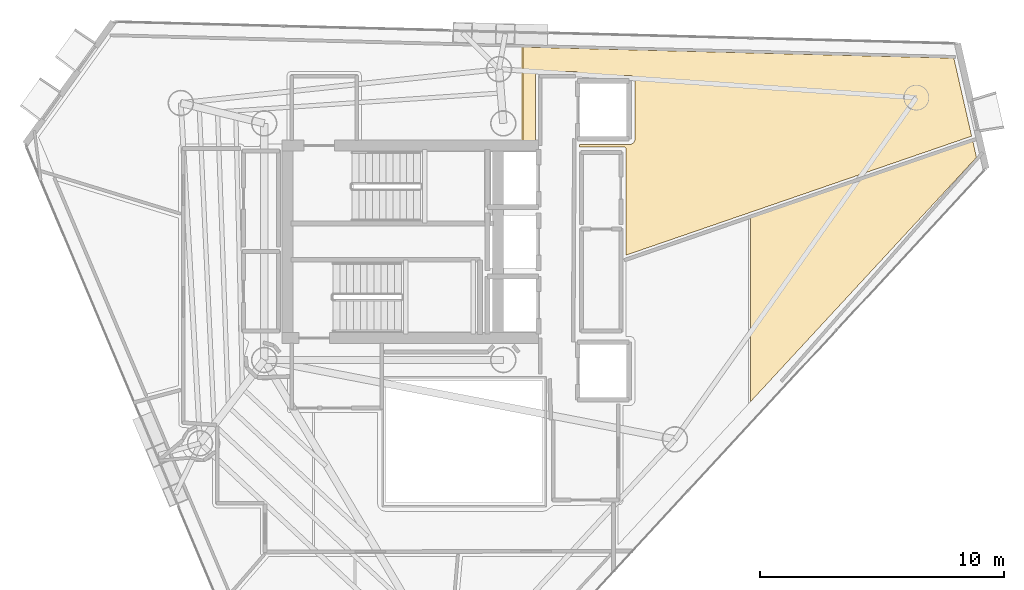
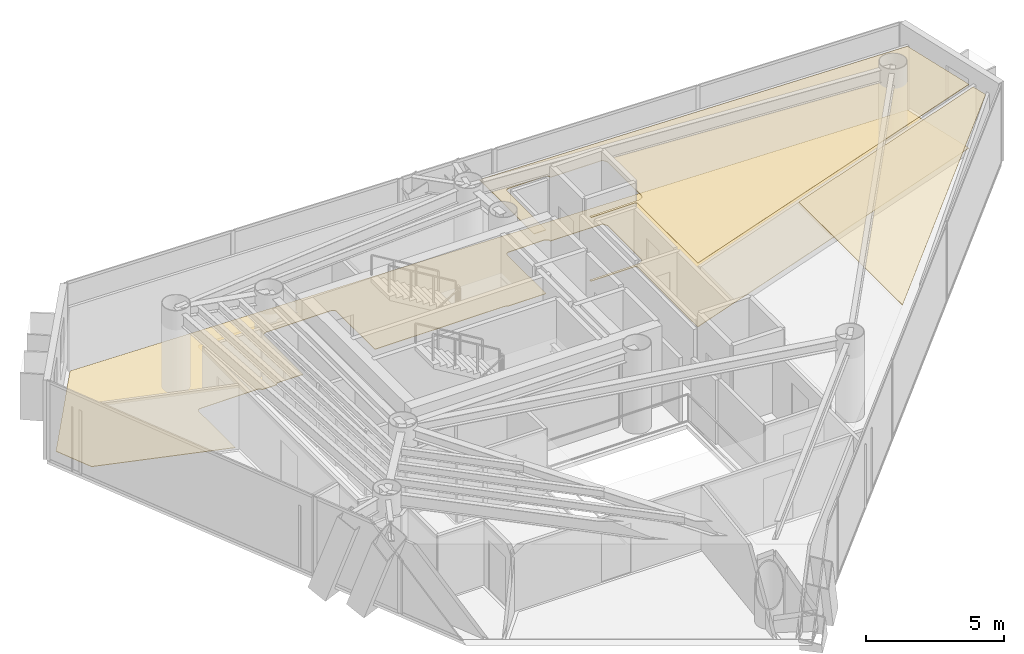
# One storey, part 21 of 21: 3 coverings.
"""IFC4 building model written with IfcOpenShell, lengths in metres."""

from ifc_helpers import new_model, si_unit, direction, frame, origin, place, context, subcontext, project, spatial, polyline, outline, extrude, material, layer, layer_set, type_object, element, save


model = new_model("IFC4")

# Units and contexts
model_context = context("Model", 3, precision=1e-05, world=origin(), true_north=direction((0.0, 1.0)))
body_context = subcontext(model_context, "Body", "Model", "MODEL_VIEW")
ifc_project = project(units=[si_unit("LENGTHUNIT", "METRE"), si_unit("AREAUNIT", "SQUARE_METRE"), si_unit("VOLUMEUNIT", "CUBIC_METRE"), si_unit("PLANEANGLEUNIT", "RADIAN"), si_unit("MASSUNIT", "GRAM", prefix="KILO")], contexts=[model_context])

# Site, building, storey
site_placement = place(None, origin())
site = spatial("IfcSite", under=ifc_project, at=site_placement, CompositionType="ELEMENT")
building_placement = place(site_placement, origin())
building = spatial("IfcBuilding", under=site, at=building_placement, Name="Qianvela Tower", CompositionType="ELEMENT")
storey_placement = place(building_placement, frame((0.0, 0.0, 246.39990234375)))
storey = spatial("IfcBuildingStorey", under=building, at=storey_placement, Name="L63", CompositionType="ELEMENT", Elevation=246.39990234375)

# Coverings
ifc_material_1 = material(Name="Perforated Mineral Acoustic Ceiling Tile")
ifc_layer_1 = layer(ifc_material_1, 0.02490234375)
ifc_layer_set_1 = layer_set([ifc_layer_1], Name="Perforated Mineral Acoustic Ceiling Tile")
covering_type_1 = type_object("IfcCoveringType", Name="COV-CEIL-ACOUSTIC-25", PredefinedType="CEILING", material=ifc_layer_set_1)
covering_1_placement = place(storey_placement, frame((0.0, 0.0, 2.815185546875)))
element("IfcCovering", 1, at=covering_1_placement, inside=storey, type_object=covering_type_1, Name="L63 Acoustic Ceiling Bay 2 Peer Support Study Room L63-04", PredefinedType="CEILING", context=body_context, shape_type="SweptSolid", body=[
    extrude(outline(polyline([(57.64794921875, 32.808349609375), (57.796630859375, 32.15625), (48.533935546875, 22.141845703125), (48.533935546875, 29.67041015625), (57.64794921875, 32.808349609375)])), origin(), (0.0, 0.0, 1.0), 0.02490234375),
])
covering_2_placement = place(storey_placement, frame((0.0, 0.0, 2.815185546875)))
element("IfcCovering", 2, at=covering_2_placement, inside=storey, type_object=covering_type_1, Name="L63 Acoustic Ceiling Bay 2 Academic Advising Lounge L63-05", PredefinedType="CEILING", context=body_context, shape_type="SweptSolid", body=[
    extrude(outline(polyline([(56.867919921875, 36.2255859375), (57.598388671875, 33.025634765625), (43.429931640625, 28.147705078125), (43.429931640625, 32.5), (43.4296875, 32.5078125), (43.428466796875, 32.515625), (43.426513671875, 32.523193359375), (43.423828125, 32.530517578125), (43.420654296875, 32.53759765625), (43.41650390625, 32.54443359375), (43.411865234375, 32.55078125), (43.406494140625, 32.556640625), (43.40087890625, 32.561767578125), (43.394287109375, 32.56640625), (43.3876953125, 32.570556640625), (43.380615234375, 32.573974609375), (43.373291015625, 32.57666015625), (43.365478515625, 32.57861328125), (43.35791015625, 32.57958984375), (43.35009765625, 32.580078125), (41.52001953125, 32.580078125), (41.52001953125, 32.679931640625), (43.580078125, 32.679931640625), (43.587158203125, 32.680419921875), (43.593994140625, 32.68115234375), (43.60107421875, 32.682861328125), (43.607666015625, 32.684814453125), (43.6142578125, 32.687744140625), (43.722412109375, 32.739013671875), (43.729248046875, 32.74267578125), (43.73583984375, 32.746826171875), (43.741943359375, 32.751953125), (43.74755859375, 32.757568359375), (43.75244140625, 32.763427734375), (43.7568359375, 32.77001953125), (43.760498046875, 32.777099609375), (43.763427734375, 32.7841796875), (43.79541015625, 32.873046875), (43.7978515625, 32.8818359375), (43.799560546875, 32.890869140625), (43.800048828125, 32.89990234375), (43.800048828125, 35.300048828125), (43.7998046875, 35.30712890625), (43.798583984375, 35.314208984375), (43.797119140625, 35.3212890625), (43.794921875, 35.328125), (43.7919921875, 35.334716796875), (43.78857421875, 35.341064453125), (43.714599609375, 35.464599609375), (43.710205078125, 35.471435546875), (43.704833984375, 35.477783203125), (43.698974609375, 35.4833984375), (43.692626953125, 35.488525390625), (43.685791015625, 35.492919921875), (43.678466796875, 35.49658203125), (43.670654296875, 35.49951171875), (43.662841796875, 35.501708984375), (43.65478515625, 35.5029296875), (43.646484375, 35.50341796875), (41.513916015625, 35.519287109375), (41.51025390625, 35.564208984375), (41.50927734375, 35.57177734375), (41.5078125, 35.5791015625), (41.50537109375, 35.586181640625), (41.502197265625, 35.59326171875), (41.49853515625, 35.599853515625), (41.494140625, 35.606201171875), (41.4892578125, 35.612060546875), (41.48388671875, 35.6171875), (41.47802734375, 35.6220703125), (41.4716796875, 35.626220703125), (41.401123046875, 35.668701171875), (41.394775390625, 35.672119140625), (41.387939453125, 35.675048828125), (41.381103515625, 35.67724609375), (41.373779296875, 35.6787109375), (41.36669921875, 35.6796875), (41.359375, 35.679931640625), (39.834716796875, 35.66650390625), (39.8271484375, 35.666015625), (39.8193359375, 35.664794921875), (39.811767578125, 35.662841796875), (39.804443359375, 35.660400390625), (39.797607421875, 35.656982421875), (39.790771484375, 35.65283203125), (39.78466796875, 35.648193359375), (39.77880859375, 35.642822265625), (39.773681640625, 35.63720703125), (39.76904296875, 35.630859375), (39.764892578125, 35.624267578125), (39.7294921875, 35.5576171875), (39.72607421875, 35.550537109375), (39.723388671875, 35.543212890625), (39.721435546875, 35.53564453125), (39.720458984375, 35.52783203125), (39.719970703125, 35.52001953125), (39.719970703125, 32.719970703125), (39.216796875, 32.719970703125), (39.216796875, 36.679443359375), (56.867919921875, 36.2255859375)])), origin(), (0.0, 0.0, 1.0), 0.02490234375),
])
ifc_material_2 = material(Name="Engineered Acoustic Oak Timber Flooring", Category="wood")
ifc_layer_2 = layer(ifc_material_2, 0.02001953125)
ifc_layer_set_2 = layer_set([ifc_layer_2], Name="Engineered Acoustic Oak Timber Flooring")
covering_type_2 = type_object("IfcCoveringType", Name="COV-FLOOR-OAK-20", PredefinedType="FLOORING", material=ifc_layer_set_2)
covering_3_placement = place(storey_placement, origin())
element("IfcCovering", 3, at=covering_3_placement, inside=storey, type_object=covering_type_2, Name="L63 Finish Flooring Academic Advising Lounge L63-05", PredefinedType="FLOORING", context=body_context, shape_type="SweptSolid", body=[
    extrude(outline(polyline([(29.5400390625, 32.700439453125), (28.54296875, 32.709716796875), (28.53662109375, 32.70947265625), (28.530029296875, 32.708740234375), (28.4677734375, 32.69921875), (28.460205078125, 32.697509765625), (28.452880859375, 32.6953125), (28.446044921875, 32.6923828125), (28.439208984375, 32.688720703125), (28.432861328125, 32.6845703125), (28.427001953125, 32.6796875), (28.42138671875, 32.674560546875), (28.41650390625, 32.668701171875), (28.412109375, 32.662353515625), (28.408447265625, 32.65576171875), (28.405517578125, 32.648681640625), (28.403076171875, 32.6416015625), (28.4013671875, 32.634033203125), (28.400390625, 32.62646484375), (28.39892578125, 32.609619140625), (27.7626953125, 32.607666015625), (27.759521484375, 32.6201171875), (27.757080078125, 32.62744140625), (27.754150390625, 32.634765625), (27.75048828125, 32.6416015625), (27.74609375, 32.648193359375), (27.7412109375, 32.654296875), (27.735595703125, 32.659912109375), (27.7294921875, 32.6650390625), (27.722900390625, 32.66943359375), (27.716064453125, 32.673095703125), (27.654296875, 32.702392578125), (27.647705078125, 32.705078125), (27.640869140625, 32.707275390625), (27.6337890625, 32.708740234375), (27.626708984375, 32.709716796875), (27.61962890625, 32.7099609375), (25.205078125, 32.696533203125), (25.197265625, 32.696044921875), (25.189697265625, 32.69482421875), (25.181884765625, 32.693115234375), (25.1748046875, 32.690185546875), (25.16748046875, 32.68701171875), (25.160888671875, 32.682861328125), (25.15478515625, 32.67822265625), (25.14892578125, 32.673095703125), (25.143798828125, 32.667236328125), (25.138916015625, 32.660888671875), (25.135009765625, 32.654296875), (25.099365234375, 32.587646484375), (25.09619140625, 32.58056640625), (25.093505859375, 32.5732421875), (25.091552734375, 32.565673828125), (25.09033203125, 32.557861328125), (25.090087890625, 32.550048828125), (25.090087890625, 29.921630859375), (19.977294921875, 31.48486328125), (19.347412109375, 32.9775390625), (22.3232421875, 37.11376953125), (56.867919921875, 36.2255859375), (57.598388671875, 33.025634765625), (43.429931640625, 28.147705078125), (43.429931640625, 32.5), (43.4296875, 32.5078125), (43.428466796875, 32.515625), (43.426513671875, 32.523193359375), (43.423828125, 32.530517578125), (43.420654296875, 32.53759765625), (43.41650390625, 32.54443359375), (43.411865234375, 32.55078125), (43.406494140625, 32.556640625), (43.40087890625, 32.561767578125), (43.394287109375, 32.56640625), (43.3876953125, 32.570556640625), (43.380615234375, 32.573974609375), (43.373291015625, 32.57666015625), (43.365478515625, 32.57861328125), (43.35791015625, 32.57958984375), (43.35009765625, 32.580078125), (41.52001953125, 32.580078125), (41.52001953125, 32.679931640625), (43.580078125, 32.679931640625), (43.587158203125, 32.680419921875), (43.593994140625, 32.68115234375), (43.60107421875, 32.682861328125), (43.607666015625, 32.684814453125), (43.6142578125, 32.687744140625), (43.722412109375, 32.739013671875), (43.729248046875, 32.74267578125), (43.73583984375, 32.746826171875), (43.741943359375, 32.751953125), (43.74755859375, 32.757568359375), (43.75244140625, 32.763427734375), (43.7568359375, 32.77001953125), (43.760498046875, 32.777099609375), (43.763427734375, 32.7841796875), (43.79541015625, 32.873046875), (43.7978515625, 32.8818359375), (43.799560546875, 32.890869140625), (43.800048828125, 32.89990234375), (43.800048828125, 35.300048828125), (43.7998046875, 35.30712890625), (43.798583984375, 35.314208984375), (43.797119140625, 35.3212890625), (43.794921875, 35.328125), (43.7919921875, 35.334716796875), (43.78857421875, 35.341064453125), (43.714599609375, 35.464599609375), (43.710205078125, 35.471435546875), (43.704833984375, 35.477783203125), (43.698974609375, 35.4833984375), (43.692626953125, 35.488525390625), (43.685791015625, 35.492919921875), (43.678466796875, 35.49658203125), (43.670654296875, 35.49951171875), (43.662841796875, 35.501708984375), (43.65478515625, 35.5029296875), (43.646484375, 35.50341796875), (41.513916015625, 35.519287109375), (41.51025390625, 35.564208984375), (41.50927734375, 35.57177734375), (41.5078125, 35.5791015625), (41.50537109375, 35.586181640625), (41.502197265625, 35.59326171875), (41.49853515625, 35.599853515625), (41.494140625, 35.606201171875), (41.4892578125, 35.612060546875), (41.48388671875, 35.6171875), (41.47802734375, 35.6220703125), (41.4716796875, 35.626220703125), (41.401123046875, 35.668701171875), (41.394775390625, 35.672119140625), (41.387939453125, 35.675048828125), (41.381103515625, 35.67724609375), (41.373779296875, 35.6787109375), (41.36669921875, 35.6796875), (41.359375, 35.679931640625), (39.834716796875, 35.66650390625), (39.8271484375, 35.666015625), (39.8193359375, 35.664794921875), (39.811767578125, 35.662841796875), (39.804443359375, 35.660400390625), (39.797607421875, 35.656982421875), (39.790771484375, 35.65283203125), (39.78466796875, 35.648193359375), (39.77880859375, 35.642822265625), (39.773681640625, 35.63720703125), (39.76904296875, 35.630859375), (39.764892578125, 35.624267578125), (39.7294921875, 35.5576171875), (39.72607421875, 35.550537109375), (39.723388671875, 35.543212890625), (39.721435546875, 35.53564453125), (39.720458984375, 35.52783203125), (39.719970703125, 35.52001953125), (39.719970703125, 32.719970703125), (38.125, 32.719970703125), (38.03369140625, 32.762451171875), (38.025634765625, 32.765625), (38.017333984375, 32.76806640625), (38.0087890625, 32.76953125), (38.0, 32.77001953125), (32.580078125, 32.77001953125), (32.580078125, 35.52001953125), (32.57958984375, 35.52783203125), (32.57861328125, 35.53564453125), (32.57666015625, 35.543212890625), (32.573974609375, 35.550537109375), (32.550537109375, 35.607177734375), (32.547119140625, 35.6142578125), (32.543212890625, 35.62109375), (32.538330078125, 35.627197265625), (32.533203125, 35.633056640625), (32.52734375, 35.638427734375), (32.52099609375, 35.64306640625), (32.514404296875, 35.647216796875), (32.507080078125, 35.650390625), (32.45068359375, 35.673828125), (32.443115234375, 35.676513671875), (32.435546875, 35.678466796875), (32.427734375, 35.6796875), (32.419921875, 35.679931640625), (29.699951171875, 35.679931640625), (29.692138671875, 35.6796875), (29.684326171875, 35.678466796875), (29.6767578125, 35.676513671875), (29.66943359375, 35.673828125), (29.61279296875, 35.650390625), (29.605712890625, 35.647216796875), (29.59912109375, 35.64306640625), (29.5927734375, 35.638427734375), (29.5869140625, 35.633056640625), (29.58154296875, 35.627197265625), (29.576904296875, 35.62109375), (29.572998046875, 35.6142578125), (29.569580078125, 35.607177734375), (29.546142578125, 35.550537109375), (29.54345703125, 35.543212890625), (29.54150390625, 35.53564453125), (29.540283203125, 35.52783203125), (29.5400390625, 35.52001953125), (29.5400390625, 32.700439453125)])), origin(), (0.0, 0.0, 1.0), 0.02001953125),
])

save(model, "model.ifc")
